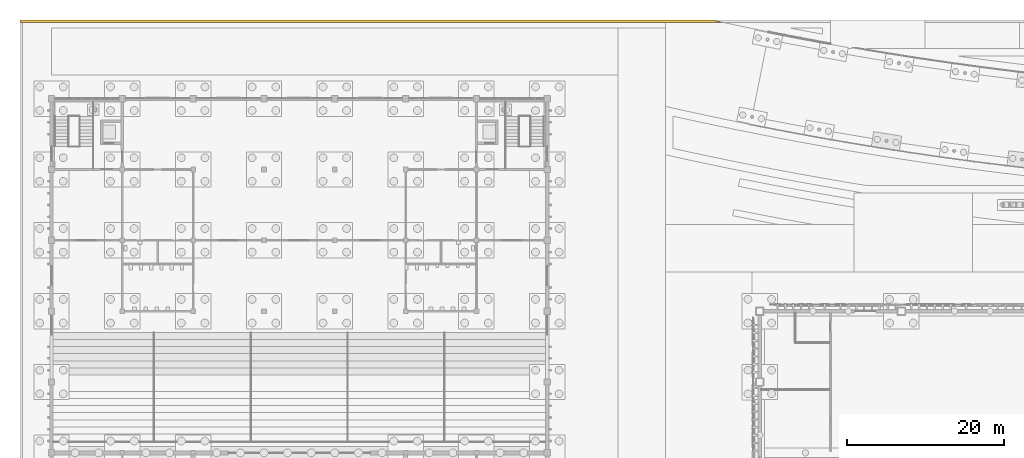
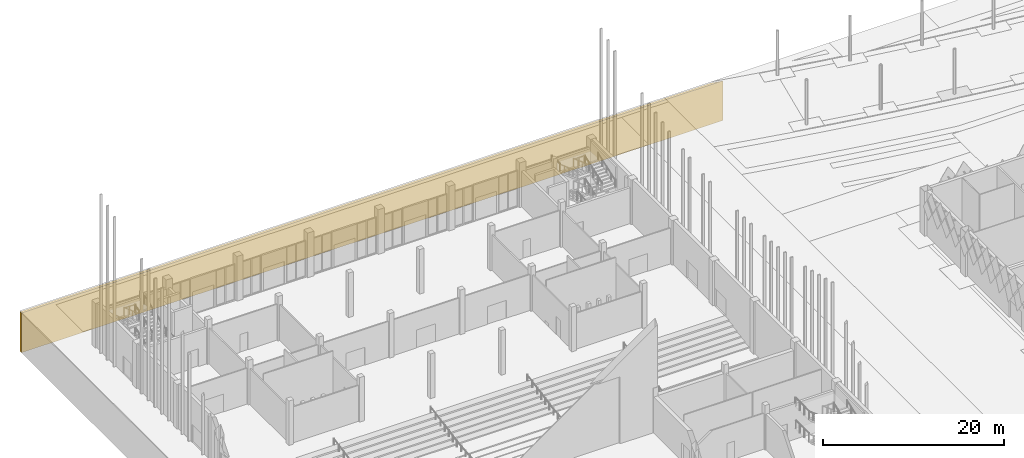
# One storey, part 168 of 198: 1 covering.
"""IFC4 building model written with IfcOpenShell, lengths in metres."""

from ifc_helpers import new_model, si_unit, direction, frame, origin, place, context, subcontext, project, spatial, polyline, outline, extrude, material, layer, layer_set, type_object, element, save


model = new_model("IFC4")

# Units and contexts
model_context = context("Model", 3, precision=1e-05, world=origin(), true_north=direction((0.0, 1.0)))
body_context = subcontext(model_context, "Body", "Model", "MODEL_VIEW")
ifc_project = project(units=[si_unit("LENGTHUNIT", "METRE"), si_unit("AREAUNIT", "SQUARE_METRE"), si_unit("VOLUMEUNIT", "CUBIC_METRE"), si_unit("PLANEANGLEUNIT", "RADIAN"), si_unit("MASSUNIT", "GRAM", prefix="KILO")], contexts=[model_context])

# Site, building, storey
site_placement = place(None, origin())
site = spatial("IfcSite", under=ifc_project, at=site_placement, CompositionType="ELEMENT")
building_placement = place(site_placement, origin())
building = spatial("IfcBuilding", under=site, at=building_placement, Name="Opaline Strait Convention Centre", CompositionType="ELEMENT")
storey_placement = place(building_placement, origin())
storey = spatial("IfcBuildingStorey", under=building, at=storey_placement, Name="L00", CompositionType="ELEMENT", Elevation=0.0)

# Covering
ifc_material = material(Name="Stabilised soil platform edge 300")
ifc_layer = layer(ifc_material, 0.300048828125)
ifc_layer_set = layer_set([ifc_layer], Name="Stabilised soil platform edge 300")
covering_type = type_object("IfcCoveringType", Name="Platform edge facing 300", PredefinedType="CLADDING", material=ifc_layer_set)
covering_placement = place(storey_placement, frame((0.0, 0.0, -5.5)))
element("IfcCovering", 1, at=covering_placement, inside=storey, type_object=covering_type, Name="Platform edge facing", PredefinedType="CLADDING", context=body_context, shape_type="SweptSolid", body=[
    extrude(outline(polyline([(5.0, 189.699951171875), (94.31005859375, 189.699951171875), (94.260009765625, 189.710693359375), (92.928466796875, 190.0), (5.0, 190.0), (5.0, 189.699951171875)])), origin(), (0.0, 0.0, 1.0), 5.35009765625),
])

save(model, "model.ifc")
